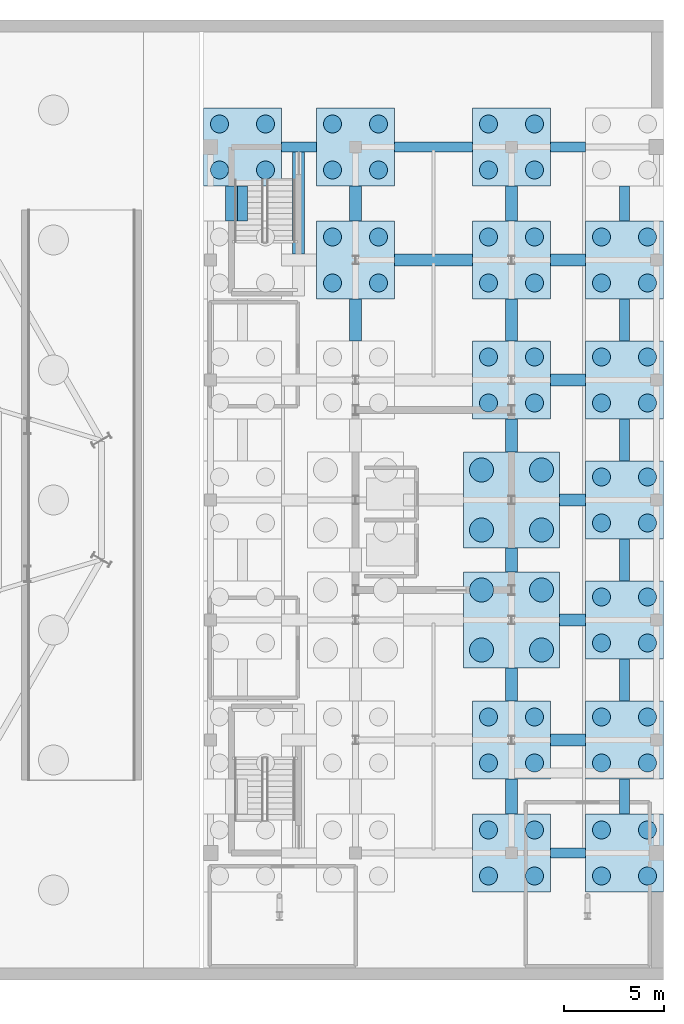
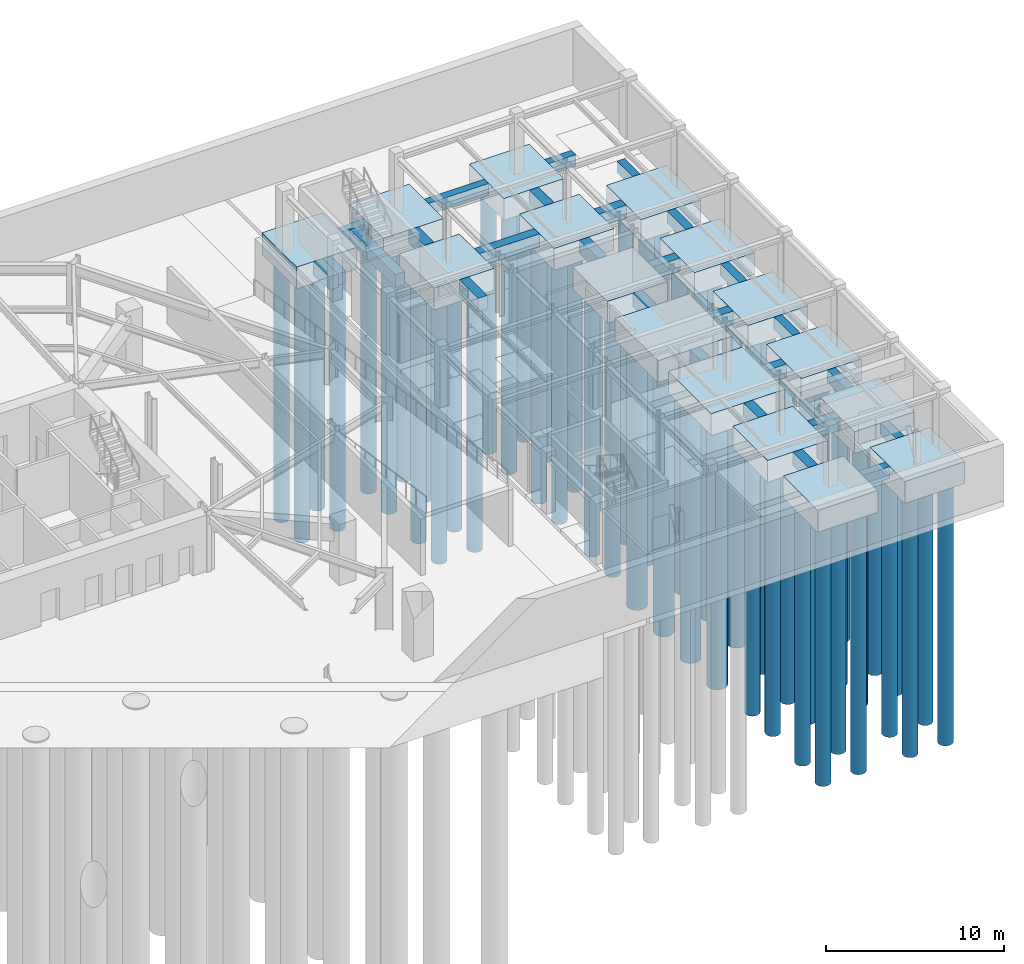
# One storey, part 2 of 18: 64 piles, 43 footings.
"""IFC4 building model written with IfcOpenShell, lengths in metres."""

from ifc_helpers import new_model, si_unit, direction, frame, origin, origin_2d, place, context, subcontext, project, spatial, polyline, circle, outline, extrude, material, layer, layer_set, material_profile, profile_set, type_object, element, save


model = new_model("IFC4")

# Units and contexts
model_context = context("Model", 3, precision=1e-05, world=origin(), true_north=direction((0.0, 1.0)))
body_context = subcontext(model_context, "Body", "Model", "MODEL_VIEW")
ifc_project = project(units=[si_unit("LENGTHUNIT", "METRE"), si_unit("AREAUNIT", "SQUARE_METRE"), si_unit("VOLUMEUNIT", "CUBIC_METRE"), si_unit("PLANEANGLEUNIT", "RADIAN"), si_unit("MASSUNIT", "GRAM", prefix="KILO")], contexts=[model_context])

# Site, building, storey
site_placement = place(None, origin())
site = spatial("IfcSite", under=ifc_project, at=site_placement, CompositionType="ELEMENT")
building_placement = place(site_placement, origin())
building = spatial("IfcBuilding", under=site, at=building_placement, Name="Kranzbogen Civic Tower", CompositionType="ELEMENT")
storey_placement = place(building_placement, frame((0.0, 0.0, -8.39990234375)))
storey = spatial("IfcBuildingStorey", under=building, at=storey_placement, Name="B02", CompositionType="ELEMENT", Elevation=-8.39990234375)

# Piles
ifc_material = material(Name="Concrete C40/50", Category="concrete")
ifc_material_profile_1 = material_profile(ifc_material, circle(Radius=0.60009765625, at=origin_2d()), Name="PILE D1200")
ifc_profile_set_1 = profile_set([ifc_material_profile_1], Name="Concrete C40/50")
pile_type_1 = type_object("IfcPileType", Name="Bored Foundation Pile D1200", PredefinedType="BORED", material=ifc_profile_set_1)
for number, where, z_axis, x_axis, name in (
    (1, (65.89990234375, 17.5, -1.400146484375), (0.0, 0.0, -1.0), (1.0, 0.0, 0.0), "Health Centre bored pile 065"),
    (2, (65.89990234375, 20.5, -1.400146484375), (0.0, 0.0, -1.0), (1.0, 0.0, 0.0), "Health Centre bored pile 066"),
    (3, (68.89990234375, 17.5, -1.400146484375), (0.0, 0.0, -1.0), (1.0, 0.0, 0.0), "Health Centre bored pile 067"),
    (4, (68.89990234375, 20.5, -1.400146484375), (0.0, 0.0, -1.0), (1.0, 0.0, 0.0), "Health Centre bored pile 068"),
    (5, (65.89990234375, 23.5, -1.400146484375), (0.0, 0.0, -1.0), (1.0, 0.0, 0.0), "Health Centre bored pile 069"),
    (6, (65.89990234375, 26.5, -1.400146484375), (0.0, 0.0, -1.0), (1.0, 0.0, 0.0), "Health Centre bored pile 070"),
    (7, (68.89990234375, 23.5, -1.400146484375), (0.0, 0.0, -1.0), (1.0, 0.0, 0.0), "Health Centre bored pile 071"),
    (8, (68.89990234375, 26.5, -1.400146484375), (0.0, 0.0, -1.0), (1.0, 0.0, 0.0), "Health Centre bored pile 072"),
):
    element("IfcPile", number, at=place(storey_placement, frame(where, z_axis=z_axis, x_axis=x_axis)), inside=storey, type_object=pile_type_1, Name=name, PredefinedType="BORED", context=body_context, shape_type="SweptSolid", body=[
        extrude(circle(Radius=0.60009765625, at=origin_2d()), origin(), (0.0, 0.0, 1.0), 18.0),
    ])
ifc_material_profile_2 = material_profile(ifc_material, circle(Radius=0.449951171875, at=origin_2d()), Name="PILE D900")
ifc_profile_set_2 = profile_set([ifc_material_profile_2], Name="Concrete C40/50")
pile_type_2 = type_object("IfcPileType", Name="Bored Foundation Pile D900", PredefinedType="BORED", material=ifc_profile_set_2)
for number, where, z_axis, x_axis, name in (
    (9, (52.800048828125, 41.5, -1.400146484375), (0.0, 0.0, -1.0), (1.0, 0.0, 0.0), "Health Centre bored pile 025"),
    (10, (52.800048828125, 43.800048828125, -1.400146484375), (0.0, 0.0, -1.0), (1.0, 0.0, 0.0), "Health Centre bored pile 026"),
    (11, (55.10009765625, 41.5, -1.400146484375), (0.0, 0.0, -1.0), (1.0, 0.0, 0.0), "Health Centre bored pile 027"),
    (12, (55.10009765625, 43.800048828125, -1.400146484375), (0.0, 0.0, -1.0), (1.0, 0.0, 0.0), "Health Centre bored pile 028"),
    (13, (58.449951171875, 35.85009765625, -1.400146484375), (0.0, 0.0, -1.0), (1.0, 0.0, 0.0), "Health Centre bored pile 049"),
    (14, (58.449951171875, 38.14990234375, -1.400146484375), (0.0, 0.0, -1.0), (1.0, 0.0, 0.0), "Health Centre bored pile 050"),
    (15, (60.75, 35.85009765625, -1.400146484375), (0.0, 0.0, -1.0), (1.0, 0.0, 0.0), "Health Centre bored pile 051"),
    (16, (60.75, 38.14990234375, -1.400146484375), (0.0, 0.0, -1.0), (1.0, 0.0, 0.0), "Health Centre bored pile 052"),
    (17, (58.449951171875, 41.5, -1.400146484375), (0.0, 0.0, -1.0), (1.0, 0.0, 0.0), "Health Centre bored pile 053"),
    (18, (58.449951171875, 43.800048828125, -1.400146484375), (0.0, 0.0, -1.0), (1.0, 0.0, 0.0), "Health Centre bored pile 054"),
    (19, (60.75, 41.5, -1.400146484375), (0.0, 0.0, -1.0), (1.0, 0.0, 0.0), "Health Centre bored pile 055"),
    (20, (60.75, 43.800048828125, -1.400146484375), (0.0, 0.0, -1.0), (1.0, 0.0, 0.0), "Health Centre bored pile 056"),
    (21, (66.25, 6.199951171875, -1.400146484375), (0.0, 0.0, -1.0), (1.0, 0.0, 0.0), "Health Centre bored pile 057"),
    (22, (66.25, 8.5, -1.400146484375), (0.0, 0.0, -1.0), (1.0, 0.0, 0.0), "Health Centre bored pile 058"),
    (23, (68.550048828125, 6.199951171875, -1.400146484375), (0.0, 0.0, -1.0), (1.0, 0.0, 0.0), "Health Centre bored pile 059"),
    (24, (68.550048828125, 8.5, -1.400146484375), (0.0, 0.0, -1.0), (1.0, 0.0, 0.0), "Health Centre bored pile 060"),
    (25, (66.25, 11.85009765625, -1.400146484375), (0.0, 0.0, -1.0), (1.0, 0.0, 0.0), "Health Centre bored pile 061"),
    (26, (66.25, 14.14990234375, -1.400146484375), (0.0, 0.0, -1.0), (1.0, 0.0, 0.0), "Health Centre bored pile 062"),
    (27, (68.550048828125, 11.85009765625, -1.400146484375), (0.0, 0.0, -1.0), (1.0, 0.0, 0.0), "Health Centre bored pile 063"),
    (28, (68.550048828125, 14.14990234375, -1.400146484375), (0.0, 0.0, -1.0), (1.0, 0.0, 0.0), "Health Centre bored pile 064"),
    (29, (66.25, 29.85009765625, -1.400146484375), (0.0, 0.0, -1.0), (1.0, 0.0, 0.0), "Health Centre bored pile 073"),
    (30, (66.25, 32.14990234375, -1.400146484375), (0.0, 0.0, -1.0), (1.0, 0.0, 0.0), "Health Centre bored pile 074"),
    (31, (68.550048828125, 29.85009765625, -1.400146484375), (0.0, 0.0, -1.0), (1.0, 0.0, 0.0), "Health Centre bored pile 075"),
    (32, (68.550048828125, 32.14990234375, -1.400146484375), (0.0, 0.0, -1.0), (1.0, 0.0, 0.0), "Health Centre bored pile 076"),
    (33, (66.25, 35.85009765625, -1.400146484375), (0.0, 0.0, -1.0), (1.0, 0.0, 0.0), "Health Centre bored pile 077"),
    (34, (66.25, 38.14990234375, -1.400146484375), (0.0, 0.0, -1.0), (1.0, 0.0, 0.0), "Health Centre bored pile 078"),
    (35, (68.550048828125, 35.85009765625, -1.400146484375), (0.0, 0.0, -1.0), (1.0, 0.0, 0.0), "Health Centre bored pile 079"),
    (36, (68.550048828125, 38.14990234375, -1.400146484375), (0.0, 0.0, -1.0), (1.0, 0.0, 0.0), "Health Centre bored pile 080"),
    (37, (66.25, 41.5, -1.400146484375), (0.0, 0.0, -1.0), (1.0, 0.0, 0.0), "Health Centre bored pile 081"),
    (38, (66.25, 43.800048828125, -1.400146484375), (0.0, 0.0, -1.0), (1.0, 0.0, 0.0), "Health Centre bored pile 082"),
    (39, (68.550048828125, 41.5, -1.400146484375), (0.0, 0.0, -1.0), (1.0, 0.0, 0.0), "Health Centre bored pile 083"),
    (40, (68.550048828125, 43.800048828125, -1.400146484375), (0.0, 0.0, -1.0), (1.0, 0.0, 0.0), "Health Centre bored pile 084"),
    (41, (71.89990234375, 6.199951171875, -1.400146484375), (0.0, 0.0, -1.0), (1.0, 0.0, 0.0), "Health Centre bored pile 085"),
    (42, (71.89990234375, 8.5, -1.400146484375), (0.0, 0.0, -1.0), (1.0, 0.0, 0.0), "Health Centre bored pile 086"),
    (43, (74.199951171875, 6.199951171875, -1.400146484375), (0.0, 0.0, -1.0), (1.0, 0.0, 0.0), "Health Centre bored pile 087"),
    (44, (74.199951171875, 8.5, -1.400146484375), (0.0, 0.0, -1.0), (1.0, 0.0, 0.0), "Health Centre bored pile 088"),
    (45, (71.89990234375, 11.85009765625, -1.400146484375), (0.0, 0.0, -1.0), (1.0, 0.0, 0.0), "Health Centre bored pile 089"),
    (46, (71.89990234375, 14.14990234375, -1.400146484375), (0.0, 0.0, -1.0), (1.0, 0.0, 0.0), "Health Centre bored pile 090"),
    (47, (74.199951171875, 11.85009765625, -1.400146484375), (0.0, 0.0, -1.0), (1.0, 0.0, 0.0), "Health Centre bored pile 091"),
    (48, (74.199951171875, 14.14990234375, -1.400146484375), (0.0, 0.0, -1.0), (1.0, 0.0, 0.0), "Health Centre bored pile 092"),
    (49, (71.89990234375, 17.85009765625, -1.400146484375), (0.0, 0.0, -1.0), (1.0, 0.0, 0.0), "Health Centre bored pile 093"),
    (50, (71.89990234375, 20.14990234375, -1.400146484375), (0.0, 0.0, -1.0), (1.0, 0.0, 0.0), "Health Centre bored pile 094"),
    (51, (74.199951171875, 17.85009765625, -1.400146484375), (0.0, 0.0, -1.0), (1.0, 0.0, 0.0), "Health Centre bored pile 095"),
    (52, (74.199951171875, 20.14990234375, -1.400146484375), (0.0, 0.0, -1.0), (1.0, 0.0, 0.0), "Health Centre bored pile 096"),
    (53, (71.89990234375, 23.85009765625, -1.400146484375), (0.0, 0.0, -1.0), (1.0, 0.0, 0.0), "Health Centre bored pile 097"),
    (54, (71.89990234375, 26.14990234375, -1.400146484375), (0.0, 0.0, -1.0), (1.0, 0.0, 0.0), "Health Centre bored pile 098"),
    (55, (74.199951171875, 23.85009765625, -1.400146484375), (0.0, 0.0, -1.0), (1.0, 0.0, 0.0), "Health Centre bored pile 099"),
    (56, (74.199951171875, 26.14990234375, -1.400146484375), (0.0, 0.0, -1.0), (1.0, 0.0, 0.0), "Health Centre bored pile 100"),
    (57, (71.89990234375, 29.85009765625, -1.400146484375), (0.0, 0.0, -1.0), (1.0, 0.0, 0.0), "Health Centre bored pile 101"),
    (58, (71.89990234375, 32.14990234375, -1.400146484375), (0.0, 0.0, -1.0), (1.0, 0.0, 0.0), "Health Centre bored pile 102"),
    (59, (74.199951171875, 29.85009765625, -1.400146484375), (0.0, 0.0, -1.0), (1.0, 0.0, 0.0), "Health Centre bored pile 103"),
    (60, (74.199951171875, 32.14990234375, -1.400146484375), (0.0, 0.0, -1.0), (1.0, 0.0, 0.0), "Health Centre bored pile 104"),
    (61, (71.89990234375, 35.85009765625, -1.400146484375), (0.0, 0.0, -1.0), (1.0, 0.0, 0.0), "Health Centre bored pile 105"),
    (62, (71.89990234375, 38.14990234375, -1.400146484375), (0.0, 0.0, -1.0), (1.0, 0.0, 0.0), "Health Centre bored pile 106"),
    (63, (74.199951171875, 35.85009765625, -1.400146484375), (0.0, 0.0, -1.0), (1.0, 0.0, 0.0), "Health Centre bored pile 107"),
    (64, (74.199951171875, 38.14990234375, -1.400146484375), (0.0, 0.0, -1.0), (1.0, 0.0, 0.0), "Health Centre bored pile 108"),
):
    element("IfcPile", number, at=place(storey_placement, frame(where, z_axis=z_axis, x_axis=x_axis)), inside=storey, type_object=pile_type_2, Name=name, PredefinedType="BORED", context=body_context, shape_type="SweptSolid", body=[
        extrude(circle(Radius=0.449951171875, at=origin_2d()), origin(), (0.0, 0.0, 1.0), 18.0),
    ])

# Footings
ifc_layer_1 = layer(ifc_material, 0.89990234375, Name="Concrete C40/50")
ifc_layer_set_1 = layer_set([ifc_layer_1], Name="Concrete C40/50")
footing_type_1 = type_object("IfcFootingType", Name="Ground Tie Beam 600x900", PredefinedType="FOOTING_BEAM", material=ifc_layer_set_1)
footing_1_placement = place(storey_placement, frame((0.0, 0.0, -0.900146484375)))
element("IfcFooting", 65, at=footing_1_placement, inside=storey, type_object=footing_type_1, Name="Health Centre ground tie beam X06", PredefinedType="FOOTING_BEAM", context=body_context, shape_type="SweptSolid", body=[
    extrude(outline(polyline([(69.35009765625, 12.699951171875), (71.10009765625, 12.699951171875), (71.10009765625, 13.300048828125), (69.35009765625, 13.300048828125), (69.35009765625, 12.699951171875)])), origin(), (0.0, 0.0, 1.0), 0.900146484375),
])
footing_2_placement = place(storey_placement, frame((0.0, 0.0, -0.900146484375)))
element("IfcFooting", 66, at=footing_2_placement, inside=storey, type_object=footing_type_1, Name="Health Centre ground tie beam X09", PredefinedType="FOOTING_BEAM", context=body_context, shape_type="SweptSolid", body=[
    extrude(outline(polyline([(69.800048828125, 18.699951171875), (71.10009765625, 18.699951171875), (71.10009765625, 19.300048828125), (69.800048828125, 19.300048828125), (69.800048828125, 18.699951171875)])), origin(), (0.0, 0.0, 1.0), 0.900146484375),
])
footing_3_placement = place(storey_placement, frame((0.0, 0.0, -0.900146484375)))
element("IfcFooting", 67, at=footing_3_placement, inside=storey, type_object=footing_type_1, Name="Health Centre ground tie beam X12", PredefinedType="FOOTING_BEAM", context=body_context, shape_type="SweptSolid", body=[
    extrude(outline(polyline([(69.800048828125, 24.699951171875), (71.10009765625, 24.699951171875), (71.10009765625, 25.300048828125), (69.800048828125, 25.300048828125), (69.800048828125, 24.699951171875)])), origin(), (0.0, 0.0, 1.0), 0.900146484375),
])
footing_4_placement = place(storey_placement, frame((0.0, 0.0, -0.900146484375)))
element("IfcFooting", 68, at=footing_4_placement, inside=storey, type_object=footing_type_1, Name="Health Centre ground tie beam X15", PredefinedType="FOOTING_BEAM", context=body_context, shape_type="SweptSolid", body=[
    extrude(outline(polyline([(69.35009765625, 30.699951171875), (71.10009765625, 30.699951171875), (71.10009765625, 31.300048828125), (69.35009765625, 31.300048828125), (69.35009765625, 30.699951171875)])), origin(), (0.0, 0.0, 1.0), 0.900146484375),
])
footing_5_placement = place(storey_placement, frame((0.0, 0.0, -0.900146484375)))
element("IfcFooting", 69, at=footing_5_placement, inside=storey, type_object=footing_type_1, Name="Health Centre ground tie beam X17", PredefinedType="FOOTING_BEAM", context=body_context, shape_type="SweptSolid", body=[
    extrude(outline(polyline([(61.550048828125, 36.699951171875), (65.449951171875, 36.699951171875), (65.449951171875, 37.300048828125), (61.550048828125, 37.300048828125), (61.550048828125, 36.699951171875)])), origin(), (0.0, 0.0, 1.0), 0.900146484375),
])
footing_6_placement = place(storey_placement, frame((0.0, 0.0, -0.900146484375)))
element("IfcFooting", 70, at=footing_6_placement, inside=storey, type_object=footing_type_1, Name="Health Centre ground tie beam X18", PredefinedType="FOOTING_BEAM", context=body_context, shape_type="SweptSolid", body=[
    extrude(outline(polyline([(69.35009765625, 36.699951171875), (71.10009765625, 36.699951171875), (71.10009765625, 37.300048828125), (69.35009765625, 37.300048828125), (69.35009765625, 36.699951171875)])), origin(), (0.0, 0.0, 1.0), 0.900146484375),
])
footing_7_placement = place(storey_placement, frame((0.0, 0.0, -0.900146484375)))
element("IfcFooting", 71, at=footing_7_placement, inside=storey, type_object=footing_type_1, Name="Health Centre ground tie beam Y32", PredefinedType="FOOTING_BEAM", context=body_context, shape_type="SweptSolid", body=[
    extrude(outline(polyline([(59.300048828125, 32.949951171875), (59.89990234375, 32.949951171875), (59.89990234375, 35.050048828125), (59.300048828125, 35.050048828125), (59.300048828125, 32.949951171875)])), origin(), (0.0, 0.0, 1.0), 0.900146484375),
])
footing_8_placement = place(storey_placement, frame((0.0, 0.0, -0.900146484375)))
element("IfcFooting", 72, at=footing_8_placement, inside=storey, type_object=footing_type_1, Name="Health Centre ground tie beam Y33", PredefinedType="FOOTING_BEAM", context=body_context, shape_type="SweptSolid", body=[
    extrude(outline(polyline([(59.300048828125, 38.949951171875), (59.89990234375, 38.949951171875), (59.89990234375, 40.699951171875), (59.300048828125, 40.699951171875), (59.300048828125, 38.949951171875)])), origin(), (0.0, 0.0, 1.0), 0.900146484375),
])
footing_9_placement = place(storey_placement, frame((0.0, 0.0, -0.900146484375)))
element("IfcFooting", 73, at=footing_9_placement, inside=storey, type_object=footing_type_1, Name="Health Centre ground tie beam Y34", PredefinedType="FOOTING_BEAM", context=body_context, shape_type="SweptSolid", body=[
    extrude(outline(polyline([(67.10009765625, 9.300048828125), (67.699951171875, 9.300048828125), (67.699951171875, 11.050048828125), (67.10009765625, 11.050048828125), (67.10009765625, 9.300048828125)])), origin(), (0.0, 0.0, 1.0), 0.900146484375),
])
footing_10_placement = place(storey_placement, frame((0.0, 0.0, -0.900146484375)))
element("IfcFooting", 74, at=footing_10_placement, inside=storey, type_object=footing_type_1, Name="Health Centre ground tie beam Y35", PredefinedType="FOOTING_BEAM", context=body_context, shape_type="SweptSolid", body=[
    extrude(outline(polyline([(67.10009765625, 14.949951171875), (67.699951171875, 14.949951171875), (67.699951171875, 16.60009765625), (67.10009765625, 16.60009765625), (67.10009765625, 14.949951171875)])), origin(), (0.0, 0.0, 1.0), 0.900146484375),
])
footing_11_placement = place(storey_placement, frame((0.0, 0.0, -0.900146484375)))
element("IfcFooting", 75, at=footing_11_placement, inside=storey, type_object=footing_type_1, Name="Health Centre ground tie beam Y36", PredefinedType="FOOTING_BEAM", context=body_context, shape_type="SweptSolid", body=[
    extrude(outline(polyline([(67.10009765625, 21.39990234375), (67.699951171875, 21.39990234375), (67.699951171875, 22.60009765625), (67.10009765625, 22.60009765625), (67.10009765625, 21.39990234375)])), origin(), (0.0, 0.0, 1.0), 0.900146484375),
])
footing_12_placement = place(storey_placement, frame((0.0, 0.0, -0.900146484375)))
element("IfcFooting", 76, at=footing_12_placement, inside=storey, type_object=footing_type_1, Name="Health Centre ground tie beam Y37", PredefinedType="FOOTING_BEAM", context=body_context, shape_type="SweptSolid", body=[
    extrude(outline(polyline([(67.10009765625, 27.39990234375), (67.699951171875, 27.39990234375), (67.699951171875, 29.050048828125), (67.10009765625, 29.050048828125), (67.10009765625, 27.39990234375)])), origin(), (0.0, 0.0, 1.0), 0.900146484375),
])
footing_13_placement = place(storey_placement, frame((0.0, 0.0, -0.900146484375)))
element("IfcFooting", 77, at=footing_13_placement, inside=storey, type_object=footing_type_1, Name="Health Centre ground tie beam Y38", PredefinedType="FOOTING_BEAM", context=body_context, shape_type="SweptSolid", body=[
    extrude(outline(polyline([(67.10009765625, 32.949951171875), (67.699951171875, 32.949951171875), (67.699951171875, 35.050048828125), (67.10009765625, 35.050048828125), (67.10009765625, 32.949951171875)])), origin(), (0.0, 0.0, 1.0), 0.900146484375),
])
footing_14_placement = place(storey_placement, frame((0.0, 0.0, -0.900146484375)))
element("IfcFooting", 78, at=footing_14_placement, inside=storey, type_object=footing_type_1, Name="Health Centre ground tie beam Y39", PredefinedType="FOOTING_BEAM", context=body_context, shape_type="SweptSolid", body=[
    extrude(outline(polyline([(67.10009765625, 38.949951171875), (67.699951171875, 38.949951171875), (67.699951171875, 40.699951171875), (67.10009765625, 40.699951171875), (67.10009765625, 38.949951171875)])), origin(), (0.0, 0.0, 1.0), 0.900146484375),
])
footing_15_placement = place(storey_placement, frame((0.0, 0.0, -0.900146484375)))
element("IfcFooting", 79, at=footing_15_placement, inside=storey, type_object=footing_type_1, Name="B02 ST-H2 stair shaft strip footing 1", PredefinedType="FOOTING_BEAM", context=body_context, shape_type="SweptSolid", body=[
    extrude(outline(polyline([(53.10009765625, 38.949951171875), (53.699951171875, 38.949951171875), (53.699951171875, 40.699951171875), (53.10009765625, 40.699951171875), (53.10009765625, 38.949951171875)])), origin(), (0.0, 0.0, 1.0), 0.900146484375),
])
footing_16_placement = place(storey_placement, frame((0.0, 0.0, -0.900146484375)))
element("IfcFooting", 80, at=footing_16_placement, inside=storey, type_object=footing_type_1, Name="B02 ST-H2 stair shaft strip footing 2.2", PredefinedType="FOOTING_BEAM", context=body_context, shape_type="SweptSolid", body=[
    extrude(outline(polyline([(56.449951171875, 37.300048828125), (57.050048828125, 37.300048828125), (57.050048828125, 42.39990234375), (56.449951171875, 42.39990234375), (56.449951171875, 37.300048828125)])), origin(), (0.0, 0.0, 1.0), 0.900146484375),
])
ifc_layer_2 = layer(ifc_material, 1.5, Name="Concrete C40/50")
ifc_layer_set_2 = layer_set([ifc_layer_2], Name="Concrete C40/50")
footing_type_2 = type_object("IfcFootingType", Name="Health Centre 4-Pile Cap 3900x3900x1500", PredefinedType="PILE_CAP", material=ifc_layer_set_2)
footing_17_placement = place(storey_placement, frame((0.0, 0.0, -1.5)))
element("IfcFooting", 81, at=footing_17_placement, inside=storey, type_object=footing_type_2, Name="Health Centre pile cap 10/H", PredefinedType="PILE_CAP", context=body_context, shape_type="SweptSolid", body=[
    extrude(outline(polyline([(52.0, 40.699951171875), (55.89990234375, 40.699951171875), (55.89990234375, 44.60009765625), (52.0, 44.60009765625), (52.0, 40.699951171875)])), origin(), (0.0, 0.0, 1.0), 1.5),
])
footing_18_placement = place(storey_placement, frame((0.0, 0.0, -1.5)))
element("IfcFooting", 82, at=footing_18_placement, inside=storey, type_object=footing_type_2, Name="Health Centre pile cap 11/G", PredefinedType="PILE_CAP", context=body_context, shape_type="SweptSolid", body=[
    extrude(outline(polyline([(57.64990234375, 35.050048828125), (61.550048828125, 35.050048828125), (61.550048828125, 38.949951171875), (57.64990234375, 38.949951171875), (57.64990234375, 35.050048828125)])), origin(), (0.0, 0.0, 1.0), 1.5),
])
footing_19_placement = place(storey_placement, frame((0.0, 0.0, -1.5)))
element("IfcFooting", 83, at=footing_19_placement, inside=storey, type_object=footing_type_2, Name="Health Centre pile cap 11/H", PredefinedType="PILE_CAP", context=body_context, shape_type="SweptSolid", body=[
    extrude(outline(polyline([(57.64990234375, 40.699951171875), (61.550048828125, 40.699951171875), (61.550048828125, 44.60009765625), (57.64990234375, 44.60009765625), (57.64990234375, 40.699951171875)])), origin(), (0.0, 0.0, 1.0), 1.5),
])
footing_20_placement = place(storey_placement, frame((0.0, 0.0, -1.5)))
element("IfcFooting", 84, at=footing_20_placement, inside=storey, type_object=footing_type_2, Name="Health Centre pile cap 12/B", PredefinedType="PILE_CAP", context=body_context, shape_type="SweptSolid", body=[
    extrude(outline(polyline([(65.449951171875, 5.39990234375), (69.35009765625, 5.39990234375), (69.35009765625, 9.300048828125), (65.449951171875, 9.300048828125), (65.449951171875, 5.39990234375)])), origin(), (0.0, 0.0, 1.0), 1.5),
])
footing_21_placement = place(storey_placement, frame((0.0, 0.0, -1.5)))
element("IfcFooting", 85, at=footing_21_placement, inside=storey, type_object=footing_type_2, Name="Health Centre pile cap 12/C", PredefinedType="PILE_CAP", context=body_context, shape_type="SweptSolid", body=[
    extrude(outline(polyline([(65.449951171875, 11.050048828125), (69.35009765625, 11.050048828125), (69.35009765625, 14.949951171875), (65.449951171875, 14.949951171875), (65.449951171875, 11.050048828125)])), origin(), (0.0, 0.0, 1.0), 1.5),
])
footing_22_placement = place(storey_placement, frame((0.0, 0.0, -1.5)))
element("IfcFooting", 86, at=footing_22_placement, inside=storey, type_object=footing_type_2, Name="Health Centre pile cap 12/F", PredefinedType="PILE_CAP", context=body_context, shape_type="SweptSolid", body=[
    extrude(outline(polyline([(65.449951171875, 29.050048828125), (69.35009765625, 29.050048828125), (69.35009765625, 32.949951171875), (65.449951171875, 32.949951171875), (65.449951171875, 29.050048828125)])), origin(), (0.0, 0.0, 1.0), 1.5),
])
footing_23_placement = place(storey_placement, frame((0.0, 0.0, -1.5)))
element("IfcFooting", 87, at=footing_23_placement, inside=storey, type_object=footing_type_2, Name="Health Centre pile cap 12/G", PredefinedType="PILE_CAP", context=body_context, shape_type="SweptSolid", body=[
    extrude(outline(polyline([(65.449951171875, 35.050048828125), (69.35009765625, 35.050048828125), (69.35009765625, 38.949951171875), (65.449951171875, 38.949951171875), (65.449951171875, 35.050048828125)])), origin(), (0.0, 0.0, 1.0), 1.5),
])
footing_24_placement = place(storey_placement, frame((0.0, 0.0, -1.5)))
element("IfcFooting", 88, at=footing_24_placement, inside=storey, type_object=footing_type_2, Name="Health Centre pile cap 12/H", PredefinedType="PILE_CAP", context=body_context, shape_type="SweptSolid", body=[
    extrude(outline(polyline([(65.449951171875, 40.699951171875), (69.35009765625, 40.699951171875), (69.35009765625, 44.60009765625), (65.449951171875, 44.60009765625), (65.449951171875, 40.699951171875)])), origin(), (0.0, 0.0, 1.0), 1.5),
])
footing_25_placement = place(storey_placement, frame((0.0, 0.0, -1.5)))
element("IfcFooting", 89, at=footing_25_placement, inside=storey, type_object=footing_type_2, Name="Health Centre pile cap 13/B", PredefinedType="PILE_CAP", context=body_context, shape_type="SweptSolid", body=[
    extrude(outline(polyline([(71.10009765625, 5.39990234375), (75.0, 5.39990234375), (75.0, 9.300048828125), (71.10009765625, 9.300048828125), (71.10009765625, 5.39990234375)])), origin(), (0.0, 0.0, 1.0), 1.5),
])
footing_26_placement = place(storey_placement, frame((0.0, 0.0, -1.5)))
element("IfcFooting", 90, at=footing_26_placement, inside=storey, type_object=footing_type_2, Name="Health Centre pile cap 13/C", PredefinedType="PILE_CAP", context=body_context, shape_type="SweptSolid", body=[
    extrude(outline(polyline([(71.10009765625, 11.050048828125), (75.0, 11.050048828125), (75.0, 14.949951171875), (71.10009765625, 14.949951171875), (71.10009765625, 11.050048828125)])), origin(), (0.0, 0.0, 1.0), 1.5),
])
footing_27_placement = place(storey_placement, frame((0.0, 0.0, -1.5)))
element("IfcFooting", 91, at=footing_27_placement, inside=storey, type_object=footing_type_2, Name="Health Centre pile cap 13/D", PredefinedType="PILE_CAP", context=body_context, shape_type="SweptSolid", body=[
    extrude(outline(polyline([(71.10009765625, 17.050048828125), (75.0, 17.050048828125), (75.0, 20.949951171875), (71.10009765625, 20.949951171875), (71.10009765625, 17.050048828125)])), origin(), (0.0, 0.0, 1.0), 1.5),
])
footing_28_placement = place(storey_placement, frame((0.0, 0.0, -1.5)))
element("IfcFooting", 92, at=footing_28_placement, inside=storey, type_object=footing_type_2, Name="Health Centre pile cap 13/E", PredefinedType="PILE_CAP", context=body_context, shape_type="SweptSolid", body=[
    extrude(outline(polyline([(71.10009765625, 23.050048828125), (75.0, 23.050048828125), (75.0, 26.949951171875), (71.10009765625, 26.949951171875), (71.10009765625, 23.050048828125)])), origin(), (0.0, 0.0, 1.0), 1.5),
])
footing_29_placement = place(storey_placement, frame((0.0, 0.0, -1.5)))
element("IfcFooting", 93, at=footing_29_placement, inside=storey, type_object=footing_type_2, Name="Health Centre pile cap 13/F", PredefinedType="PILE_CAP", context=body_context, shape_type="SweptSolid", body=[
    extrude(outline(polyline([(71.10009765625, 29.050048828125), (75.0, 29.050048828125), (75.0, 32.949951171875), (71.10009765625, 32.949951171875), (71.10009765625, 29.050048828125)])), origin(), (0.0, 0.0, 1.0), 1.5),
])
footing_30_placement = place(storey_placement, frame((0.0, 0.0, -1.5)))
element("IfcFooting", 94, at=footing_30_placement, inside=storey, type_object=footing_type_2, Name="Health Centre pile cap 13/G", PredefinedType="PILE_CAP", context=body_context, shape_type="SweptSolid", body=[
    extrude(outline(polyline([(71.10009765625, 35.050048828125), (75.0, 35.050048828125), (75.0, 38.949951171875), (71.10009765625, 38.949951171875), (71.10009765625, 35.050048828125)])), origin(), (0.0, 0.0, 1.0), 1.5),
])
ifc_layer_3 = layer(ifc_material, 1.5, Name="Concrete C40/50")
ifc_layer_set_3 = layer_set([ifc_layer_3], Name="Concrete C40/50")
footing_type_3 = type_object("IfcFootingType", Name="Health Centre Core 4-Pile Cap 4800x4800x1500", PredefinedType="PILE_CAP", material=ifc_layer_set_3)
footing_31_placement = place(storey_placement, frame((0.0, 0.0, -1.5)))
element("IfcFooting", 95, at=footing_31_placement, inside=storey, type_object=footing_type_3, Name="Health Centre pile cap 12/D", PredefinedType="PILE_CAP", context=body_context, shape_type="SweptSolid", body=[
    extrude(outline(polyline([(65.0, 16.60009765625), (69.800048828125, 16.60009765625), (69.800048828125, 21.39990234375), (65.0, 21.39990234375), (65.0, 16.60009765625)])), origin(), (0.0, 0.0, 1.0), 1.5),
])
footing_32_placement = place(storey_placement, frame((0.0, 0.0, -1.5)))
element("IfcFooting", 96, at=footing_32_placement, inside=storey, type_object=footing_type_3, Name="Health Centre pile cap 12/E", PredefinedType="PILE_CAP", context=body_context, shape_type="SweptSolid", body=[
    extrude(outline(polyline([(65.0, 22.60009765625), (69.800048828125, 22.60009765625), (69.800048828125, 27.39990234375), (65.0, 27.39990234375), (65.0, 22.60009765625)])), origin(), (0.0, 0.0, 1.0), 1.5),
])
ifc_layer_4 = layer(ifc_material, 0.800048828125, Name="Concrete C40/50")
ifc_layer_set_4 = layer_set([ifc_layer_4], Name="Concrete C40/50")
footing_type_4 = type_object("IfcFootingType", Name="Perimeter Ground Strap Beam 500x800", PredefinedType="FOOTING_BEAM", material=ifc_layer_set_4)
footing_33_placement = place(storey_placement, frame((0.0, 0.0, -0.800048828125)))
element("IfcFooting", 97, at=footing_33_placement, inside=storey, type_object=footing_type_4, Name="Health Centre ground tie beam X03", PredefinedType="FOOTING_BEAM", context=body_context, shape_type="SweptSolid", body=[
    extrude(outline(polyline([(69.35009765625, 7.10009765625), (71.10009765625, 7.10009765625), (71.10009765625, 7.60009765625), (69.35009765625, 7.60009765625), (69.35009765625, 7.10009765625)])), origin(), (0.0, 0.0, 1.0), 0.800048828125),
])
footing_34_placement = place(storey_placement, frame((0.0, 0.0, -0.800048828125)))
element("IfcFooting", 98, at=footing_34_placement, inside=storey, type_object=footing_type_4, Name="Health Centre ground tie beam X19", PredefinedType="FOOTING_BEAM", context=body_context, shape_type="SweptSolid", body=[
    extrude(outline(polyline([(55.89990234375, 42.39990234375), (57.64990234375, 42.39990234375), (57.64990234375, 42.89990234375), (55.89990234375, 42.89990234375), (55.89990234375, 42.39990234375)])), origin(), (0.0, 0.0, 1.0), 0.800048828125),
])
footing_35_placement = place(storey_placement, frame((0.0, 0.0, -0.800048828125)))
element("IfcFooting", 99, at=footing_35_placement, inside=storey, type_object=footing_type_4, Name="Health Centre ground tie beam X20", PredefinedType="FOOTING_BEAM", context=body_context, shape_type="SweptSolid", body=[
    extrude(outline(polyline([(61.550048828125, 42.39990234375), (65.449951171875, 42.39990234375), (65.449951171875, 42.89990234375), (61.550048828125, 42.89990234375), (61.550048828125, 42.39990234375)])), origin(), (0.0, 0.0, 1.0), 0.800048828125),
])
footing_36_placement = place(storey_placement, frame((0.0, 0.0, -0.800048828125)))
element("IfcFooting", 100, at=footing_36_placement, inside=storey, type_object=footing_type_4, Name="Health Centre ground tie beam X21", PredefinedType="FOOTING_BEAM", context=body_context, shape_type="SweptSolid", body=[
    extrude(outline(polyline([(69.35009765625, 42.39990234375), (71.10009765625, 42.39990234375), (71.10009765625, 42.89990234375), (69.35009765625, 42.89990234375), (69.35009765625, 42.39990234375)])), origin(), (0.0, 0.0, 1.0), 0.800048828125),
])
footing_37_placement = place(storey_placement, frame((0.0, 0.0, -0.800048828125)))
element("IfcFooting", 101, at=footing_37_placement, inside=storey, type_object=footing_type_4, Name="Health Centre ground tie beam Y27", PredefinedType="FOOTING_BEAM", context=body_context, shape_type="SweptSolid", body=[
    extrude(outline(polyline([(53.699951171875, 38.949951171875), (54.199951171875, 38.949951171875), (54.199951171875, 40.699951171875), (53.699951171875, 40.699951171875), (53.699951171875, 38.949951171875)])), origin(), (0.0, 0.0, 1.0), 0.800048828125),
])
footing_38_placement = place(storey_placement, frame((0.0, 0.0, -0.800048828125)))
element("IfcFooting", 102, at=footing_38_placement, inside=storey, type_object=footing_type_4, Name="Health Centre ground tie beam Y40", PredefinedType="FOOTING_BEAM", context=body_context, shape_type="SweptSolid", body=[
    extrude(outline(polyline([(72.800048828125, 9.300048828125), (73.300048828125, 9.300048828125), (73.300048828125, 11.050048828125), (72.800048828125, 11.050048828125), (72.800048828125, 9.300048828125)])), origin(), (0.0, 0.0, 1.0), 0.800048828125),
])
footing_39_placement = place(storey_placement, frame((0.0, 0.0, -0.800048828125)))
element("IfcFooting", 103, at=footing_39_placement, inside=storey, type_object=footing_type_4, Name="Health Centre ground tie beam Y41", PredefinedType="FOOTING_BEAM", context=body_context, shape_type="SweptSolid", body=[
    extrude(outline(polyline([(72.800048828125, 14.949951171875), (73.300048828125, 14.949951171875), (73.300048828125, 17.050048828125), (72.800048828125, 17.050048828125), (72.800048828125, 14.949951171875)])), origin(), (0.0, 0.0, 1.0), 0.800048828125),
])
footing_40_placement = place(storey_placement, frame((0.0, 0.0, -0.800048828125)))
element("IfcFooting", 104, at=footing_40_placement, inside=storey, type_object=footing_type_4, Name="Health Centre ground tie beam Y42", PredefinedType="FOOTING_BEAM", context=body_context, shape_type="SweptSolid", body=[
    extrude(outline(polyline([(72.800048828125, 20.949951171875), (73.300048828125, 20.949951171875), (73.300048828125, 23.050048828125), (72.800048828125, 23.050048828125), (72.800048828125, 20.949951171875)])), origin(), (0.0, 0.0, 1.0), 0.800048828125),
])
footing_41_placement = place(storey_placement, frame((0.0, 0.0, -0.800048828125)))
element("IfcFooting", 105, at=footing_41_placement, inside=storey, type_object=footing_type_4, Name="Health Centre ground tie beam Y43", PredefinedType="FOOTING_BEAM", context=body_context, shape_type="SweptSolid", body=[
    extrude(outline(polyline([(72.800048828125, 26.949951171875), (73.300048828125, 26.949951171875), (73.300048828125, 29.050048828125), (72.800048828125, 29.050048828125), (72.800048828125, 26.949951171875)])), origin(), (0.0, 0.0, 1.0), 0.800048828125),
])
footing_42_placement = place(storey_placement, frame((0.0, 0.0, -0.800048828125)))
element("IfcFooting", 106, at=footing_42_placement, inside=storey, type_object=footing_type_4, Name="Health Centre ground tie beam Y44", PredefinedType="FOOTING_BEAM", context=body_context, shape_type="SweptSolid", body=[
    extrude(outline(polyline([(72.800048828125, 32.949951171875), (73.300048828125, 32.949951171875), (73.300048828125, 35.050048828125), (72.800048828125, 35.050048828125), (72.800048828125, 32.949951171875)])), origin(), (0.0, 0.0, 1.0), 0.800048828125),
])
footing_43_placement = place(storey_placement, frame((0.0, 0.0, -0.800048828125)))
element("IfcFooting", 107, at=footing_43_placement, inside=storey, type_object=footing_type_4, Name="Health Centre ground tie beam Y45", PredefinedType="FOOTING_BEAM", context=body_context, shape_type="SweptSolid", body=[
    extrude(outline(polyline([(72.800048828125, 38.949951171875), (73.300048828125, 38.949951171875), (73.300048828125, 40.699951171875), (72.800048828125, 40.699951171875), (72.800048828125, 38.949951171875)])), origin(), (0.0, 0.0, 1.0), 0.800048828125),
])

save(model, "model.ifc")
